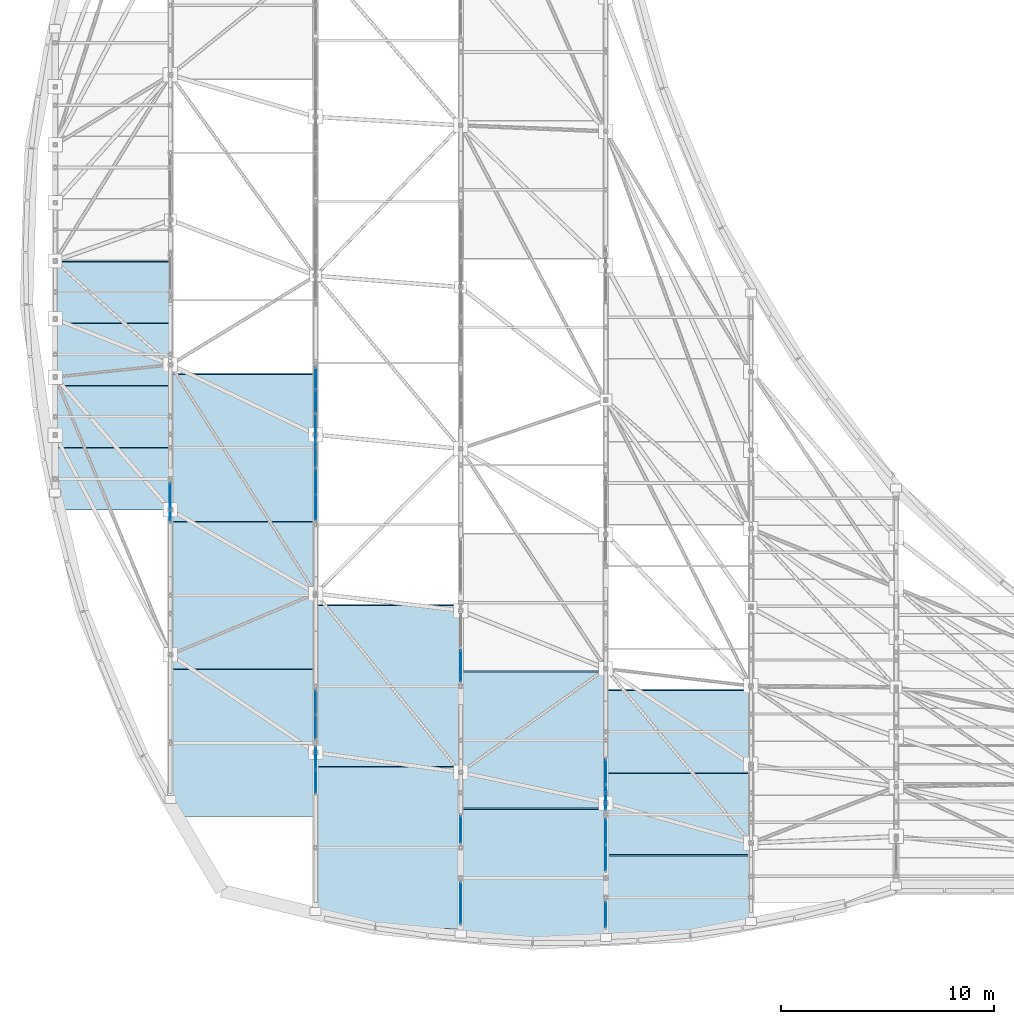
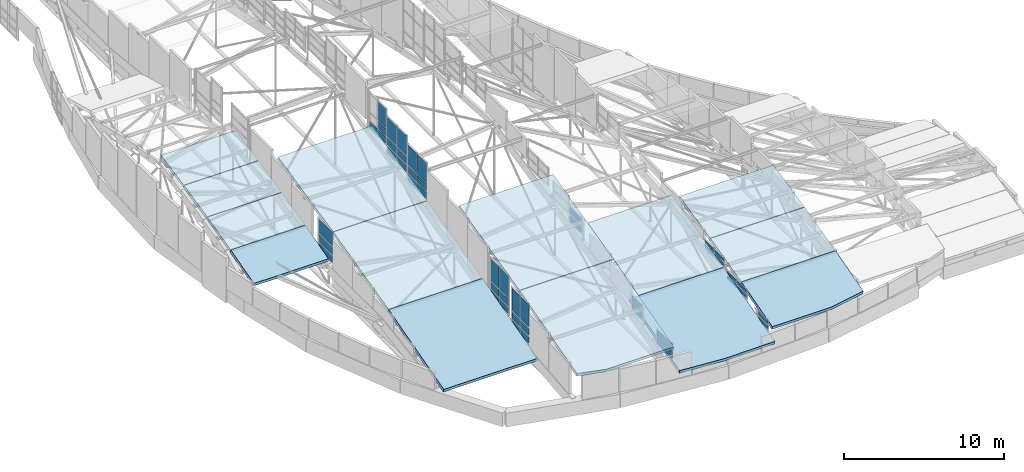
# One storey, part 155 of 188: 47 plates, 14 slabs, 12 elements without a shape of their own.
"""IFC4 building model written with IfcOpenShell, lengths in metres."""

from ifc_helpers import new_model, si_unit, direction, frame, origin, origin_2d, place, context, subcontext, project, spatial, polyline, rectangle, outline, extrude, material, layer, layer_set, type_object, element, aggregate, save


model = new_model("IFC4")

# Units and contexts
model_context = context("Model", 3, precision=1e-05, world=origin(), true_north=direction((0.0, 1.0)))
body_context = subcontext(model_context, "Body", "Model", "MODEL_VIEW")
ifc_project = project(units=[si_unit("LENGTHUNIT", "METRE"), si_unit("AREAUNIT", "SQUARE_METRE"), si_unit("VOLUMEUNIT", "CUBIC_METRE"), si_unit("PLANEANGLEUNIT", "RADIAN"), si_unit("MASSUNIT", "GRAM", prefix="KILO")], contexts=[model_context])

# Site, building, storey
site_placement = place(None, origin())
site = spatial("IfcSite", under=ifc_project, at=site_placement, CompositionType="ELEMENT")
building_placement = place(site_placement, origin())
building = spatial("IfcBuilding", under=site, at=building_placement, Name="Kisaragi Civic Commons", CompositionType="ELEMENT")
storey_placement = place(building_placement, frame((0.0, 0.0, 9.60009765625)))
storey = spatial("IfcBuildingStorey", under=building, at=storey_placement, Name="L02", CompositionType="ELEMENT", Elevation=9.60009765625)

# Curtain wall, plates
ifc_material_1 = material(Name="Thermally broken anodized aluminium and low-E double glazing", Category="aluminium")
ifc_layer_1 = layer(ifc_material_1, 0.14990234375, Name="Thermally broken anodized aluminium and low-E double glazing", Category="aluminium")
ifc_layer_set_1 = layer_set([ifc_layer_1], Name="Thermally broken anodized aluminium and low-E double glazing")
curtain_wall_type = type_object("IfcCurtainWallType", Name="CW-03", PredefinedType="NOTDEFINED", material=ifc_layer_set_1)
curtain_wall_1_placement = place(storey_placement, origin())
curtain_wall_1 = element("IfcCurtainWall", 1, at=curtain_wall_1_placement, inside=storey, type_object=curtain_wall_type, Name="L02 curtain wall CW-03 CW-CL-V1-138", PredefinedType="NOTDEFINED")
ifc_layer_2 = layer(ifc_material_1, 0.0380859375, Name="Thermally broken anodized aluminium and low-E double glazing", Category="aluminium")
ifc_layer_set_2 = layer_set([ifc_layer_2], Name="Thermally broken anodized aluminium and low-E double glazing")
plate_type_1 = type_object("IfcPlateType", Name="CWP-03", PredefinedType="CURTAIN_PANEL", material=ifc_layer_set_2)
plate_1_placement = place(storey_placement, frame((13.60009765625, 11.491943359375, 1.20849609375), z_axis=(0.0, 0.0, 1.0), x_axis=(0.0, 1.0, 0.0)))
plate_1 = element("IfcPlate", 2, at=plate_1_placement, type_object=plate_type_1, Name="CW-03 panel 1.1", PredefinedType="CURTAIN_PANEL", context=body_context, shape_type="SweptSolid", body=[
    extrude(rectangle(XDim=1.079833984375, YDim=0.0380859375, at=origin_2d()), origin(), (0.0, 0.0, 1.0), 0.469970703125),
])
plate_2_placement = place(storey_placement, frame((13.60009765625, 11.491943359375, 1.798828125), z_axis=(0.0, 0.0, 1.0), x_axis=(0.0, 1.0, 0.0)))
plate_2 = element("IfcPlate", 3, at=plate_2_placement, type_object=plate_type_1, Name="CW-03 panel 1.2", PredefinedType="CURTAIN_PANEL", context=body_context, shape_type="SweptSolid", body=[
    extrude(rectangle(XDim=1.079833984375, YDim=0.0380859375, at=origin_2d()), origin(), (0.0, 0.0, 1.0), 0.530029296875),
])
plate_3_placement = place(storey_placement, frame((13.60009765625, 11.491943359375, 2.44873046875), z_axis=(0.0, 0.0, 1.0), x_axis=(0.0, 1.0, 0.0)))
plate_3 = element("IfcPlate", 4, at=plate_3_placement, type_object=plate_type_1, Name="CW-03 panel 1.3", PredefinedType="CURTAIN_PANEL", context=body_context, shape_type="SweptSolid", body=[
    extrude(rectangle(XDim=1.079833984375, YDim=0.0380859375, at=origin_2d()), origin(), (0.0, 0.0, 1.0), 1.6259765625),
])
plate_4_placement = place(storey_placement, frame((13.60009765625, 12.6318359375, 1.20849609375), z_axis=(0.0, 0.0, 1.0), x_axis=(0.0, 1.0, 0.0)))
plate_4 = element("IfcPlate", 5, at=plate_4_placement, type_object=plate_type_1, Name="CW-03 panel 2.1", PredefinedType="CURTAIN_PANEL", context=body_context, shape_type="SweptSolid", body=[
    extrude(rectangle(XDim=1.079833984375, YDim=0.0380859375, at=origin_2d()), origin(), (0.0, 0.0, 1.0), 0.469970703125),
])
plate_5_placement = place(storey_placement, frame((13.60009765625, 12.6318359375, 1.798828125), z_axis=(0.0, 0.0, 1.0), x_axis=(0.0, 1.0, 0.0)))
plate_5 = element("IfcPlate", 6, at=plate_5_placement, type_object=plate_type_1, Name="CW-03 panel 2.2", PredefinedType="CURTAIN_PANEL", context=body_context, shape_type="SweptSolid", body=[
    extrude(rectangle(XDim=1.079833984375, YDim=0.0380859375, at=origin_2d()), origin(), (0.0, 0.0, 1.0), 0.530029296875),
])
plate_6_placement = place(storey_placement, frame((13.60009765625, 12.6318359375, 2.44873046875), z_axis=(0.0, 0.0, 1.0), x_axis=(0.0, 1.0, 0.0)))
plate_6 = element("IfcPlate", 7, at=plate_6_placement, type_object=plate_type_1, Name="CW-03 panel 2.3", PredefinedType="CURTAIN_PANEL", context=body_context, shape_type="SweptSolid", body=[
    extrude(rectangle(XDim=1.079833984375, YDim=0.0380859375, at=origin_2d()), origin(), (0.0, 0.0, 1.0), 1.6259765625),
])
aggregate(curtain_wall_1, [plate_1, plate_2, plate_3, plate_4, plate_5, plate_6])

curtain_wall_2_placement = place(storey_placement, origin())
curtain_wall_2 = element("IfcCurtainWall", 8, at=curtain_wall_2_placement, inside=storey, type_object=curtain_wall_type, Name="L02 curtain wall CW-03 CW-CL-V1-140", PredefinedType="NOTDEFINED")
plate_7_placement = place(storey_placement, frame((13.60009765625, 24.259765625, 4.33349609375), z_axis=(0.0, 0.0, 1.0), x_axis=(0.0, 1.0, 0.0)))
plate_7 = element("IfcPlate", 9, at=plate_7_placement, type_object=plate_type_1, Name="CW-03 panel 1.1", PredefinedType="CURTAIN_PANEL", context=body_context, shape_type="SweptSolid", body=[
    extrude(rectangle(XDim=1.170166015625, YDim=0.0380859375, at=origin_2d()), origin(), (0.0, 0.0, 1.0), 0.469970703125),
])
plate_8_placement = place(storey_placement, frame((13.60009765625, 24.259765625, 4.92333984375), z_axis=(0.0, 0.0, 1.0), x_axis=(0.0, 1.0, 0.0)))
plate_8 = element("IfcPlate", 10, at=plate_8_placement, type_object=plate_type_1, Name="CW-03 panel 1.2", PredefinedType="CURTAIN_PANEL", context=body_context, shape_type="SweptSolid", body=[
    extrude(rectangle(XDim=1.170166015625, YDim=0.0380859375, at=origin_2d()), origin(), (0.0, 0.0, 1.0), 0.530029296875),
])
plate_9_placement = place(storey_placement, frame((13.60009765625, 24.259765625, 5.57373046875), z_axis=(0.0, 0.0, 1.0), x_axis=(0.0, 1.0, 0.0)))
plate_9 = element("IfcPlate", 11, at=plate_9_placement, type_object=plate_type_1, Name="CW-03 panel 1.3", PredefinedType="CURTAIN_PANEL", context=body_context, shape_type="SweptSolid", body=[
    extrude(rectangle(XDim=1.170166015625, YDim=0.0380859375, at=origin_2d()), origin(), (0.0, 0.0, 1.0), 1.456787109375),
])
plate_10_placement = place(storey_placement, frame((13.60009765625, 25.489990234375, 4.33349609375), z_axis=(0.0, 0.0, 1.0), x_axis=(0.0, 1.0, 0.0)))
plate_10 = element("IfcPlate", 12, at=plate_10_placement, type_object=plate_type_1, Name="CW-03 panel 2.1", PredefinedType="CURTAIN_PANEL", context=body_context, shape_type="SweptSolid", body=[
    extrude(rectangle(XDim=1.170166015625, YDim=0.0380859375, at=origin_2d()), origin(), (0.0, 0.0, 1.0), 0.469970703125),
])
plate_11_placement = place(storey_placement, frame((13.60009765625, 25.489990234375, 4.92333984375), z_axis=(0.0, 0.0, 1.0), x_axis=(0.0, 1.0, 0.0)))
plate_11 = element("IfcPlate", 13, at=plate_11_placement, type_object=plate_type_1, Name="CW-03 panel 2.2", PredefinedType="CURTAIN_PANEL", context=body_context, shape_type="SweptSolid", body=[
    extrude(rectangle(XDim=1.170166015625, YDim=0.0380859375, at=origin_2d()), origin(), (0.0, 0.0, 1.0), 0.530029296875),
])
plate_12_placement = place(storey_placement, frame((13.60009765625, 25.489990234375, 5.57373046875), z_axis=(0.0, 0.0, 1.0), x_axis=(0.0, 1.0, 0.0)))
plate_12 = element("IfcPlate", 14, at=plate_12_placement, type_object=plate_type_1, Name="CW-03 panel 2.3", PredefinedType="CURTAIN_PANEL", context=body_context, shape_type="SweptSolid", body=[
    extrude(rectangle(XDim=1.170166015625, YDim=0.0380859375, at=origin_2d()), origin(), (0.0, 0.0, 1.0), 1.456787109375),
])
aggregate(curtain_wall_2, [plate_7, plate_8, plate_9, plate_10, plate_11, plate_12])

curtain_wall_3_placement = place(storey_placement, origin())
curtain_wall_3 = element("IfcCurtainWall", 15, at=curtain_wall_3_placement, inside=storey, type_object=curtain_wall_type, Name="L02 curtain wall CW-03 CW-CL-V1-154", PredefinedType="NOTDEFINED")
plate_13_placement = place(storey_placement, frame((20.39990234375, 6.67138671875, 1.40673828125), z_axis=(0.0, 0.0, 1.0), x_axis=(0.0, 1.0, 0.0)))
plate_13 = element("IfcPlate", 16, at=plate_13_placement, type_object=plate_type_1, Name="CW-03 panel 1.1", PredefinedType="CURTAIN_PANEL", context=body_context, shape_type="SweptSolid", body=[
    extrude(rectangle(XDim=1.25390625, YDim=0.0380859375, at=origin_2d()), origin(), (0.0, 0.0, 1.0), 0.466796875),
])
plate_14_placement = place(storey_placement, frame((20.39990234375, 6.67138671875, 1.99365234375), z_axis=(0.0, 0.0, 1.0), x_axis=(0.0, 1.0, 0.0)))
plate_14 = element("IfcPlate", 17, at=plate_14_placement, type_object=plate_type_1, Name="CW-03 panel 1.2", PredefinedType="CURTAIN_PANEL", context=body_context, shape_type="SweptSolid", body=[
    extrude(rectangle(XDim=1.25390625, YDim=0.0380859375, at=origin_2d()), origin(), (0.0, 0.0, 1.0), 0.467041015625),
])
aggregate(curtain_wall_3, [plate_13, plate_14])

curtain_wall_4_placement = place(storey_placement, origin())
curtain_wall_4 = element("IfcCurtainWall", 18, at=curtain_wall_4_placement, inside=storey, type_object=curtain_wall_type, Name="L02 curtain wall CW-03 CW-CL-V1-164", PredefinedType="NOTDEFINED")
plate_15_placement = place(storey_placement, frame((27.199951171875, 2.691650390625, 0.65478515625), z_axis=(0.0, 0.0, 1.0), x_axis=(0.0, 1.0, 0.0)))
plate_15 = element("IfcPlate", 19, at=plate_15_placement, type_object=plate_type_1, Name="CW-03 panel 1.1", PredefinedType="CURTAIN_PANEL", context=body_context, shape_type="SweptSolid", body=[
    extrude(rectangle(XDim=1.17529296875, YDim=0.0380859375, at=origin_2d()), origin(), (0.0, 0.0, 1.0), 0.254638671875),
])
plate_16_placement = place(storey_placement, frame((27.199951171875, 2.691650390625, 1.029296875), z_axis=(0.0, 0.0, 1.0), x_axis=(0.0, 1.0, 0.0)))
plate_16 = element("IfcPlate", 20, at=plate_16_placement, type_object=plate_type_1, Name="CW-03 panel 1.2", PredefinedType="CURTAIN_PANEL", context=body_context, shape_type="SweptSolid", body=[
    extrude(rectangle(XDim=1.17529296875, YDim=0.0380859375, at=origin_2d()), origin(), (0.0, 0.0, 1.0), 0.254638671875),
])
aggregate(curtain_wall_4, [plate_15, plate_16])

curtain_wall_5_placement = place(storey_placement, origin())
curtain_wall_5 = element("IfcCurtainWall", 21, at=curtain_wall_5_placement, inside=storey, type_object=curtain_wall_type, Name="L02 curtain wall CW-03 CW-CL-V1-166", PredefinedType="NOTDEFINED")
plate_17_placement = place(storey_placement, frame((27.199951171875, 8.174072265625, 2.102783203125), z_axis=(0.0, 0.0, 1.0), x_axis=(0.0, 1.0, 0.0)))
plate_17 = element("IfcPlate", 22, at=plate_17_placement, type_object=plate_type_1, Name="CW-03 panel 1.1", PredefinedType="CURTAIN_PANEL", context=body_context, shape_type="SweptSolid", body=[
    extrude(rectangle(XDim=1.146240234375, YDim=0.0380859375, at=origin_2d()), origin(), (0.0, 0.0, 1.0), 0.22412109375),
])
plate_18_placement = place(storey_placement, frame((27.199951171875, 8.174072265625, 2.44677734375), z_axis=(0.0, 0.0, 1.0), x_axis=(0.0, 1.0, 0.0)))
plate_18 = element("IfcPlate", 23, at=plate_18_placement, type_object=plate_type_1, Name="CW-03 panel 1.2", PredefinedType="CURTAIN_PANEL", context=body_context, shape_type="SweptSolid", body=[
    extrude(rectangle(XDim=1.146240234375, YDim=0.0380859375, at=origin_2d()), origin(), (0.0, 0.0, 1.0), 0.22412109375),
])
plate_19_placement = place(storey_placement, frame((27.199951171875, 9.38037109375, 2.102783203125), z_axis=(0.0, 0.0, 1.0), x_axis=(0.0, 1.0, 0.0)))
plate_19 = element("IfcPlate", 24, at=plate_19_placement, type_object=plate_type_1, Name="CW-03 panel 2.1", PredefinedType="CURTAIN_PANEL", context=body_context, shape_type="SweptSolid", body=[
    extrude(rectangle(XDim=1.146240234375, YDim=0.0380859375, at=origin_2d()), origin(), (0.0, 0.0, 1.0), 0.22412109375),
])
plate_20_placement = place(storey_placement, frame((27.199951171875, 9.38037109375, 2.44677734375), z_axis=(0.0, 0.0, 1.0), x_axis=(0.0, 1.0, 0.0)))
plate_20 = element("IfcPlate", 25, at=plate_20_placement, type_object=plate_type_1, Name="CW-03 panel 2.2", PredefinedType="CURTAIN_PANEL", context=body_context, shape_type="SweptSolid", body=[
    extrude(rectangle(XDim=1.146240234375, YDim=0.0380859375, at=origin_2d()), origin(), (0.0, 0.0, 1.0), 0.22412109375),
])
aggregate(curtain_wall_5, [plate_17, plate_18, plate_19, plate_20])

curtain_wall_6_placement = place(storey_placement, origin())
curtain_wall_6 = element("IfcCurtainWall", 26, at=curtain_wall_6_placement, inside=storey, type_object=curtain_wall_type, Name="L02 curtain wall CW-03 CW-CL-V1-133", PredefinedType="NOTDEFINED")
ifc_layer_3 = layer(ifc_material_1, 0.041015625, Name="Thermally broken anodized aluminium and low-E double glazing", Category="aluminium")
ifc_layer_set_3 = layer_set([ifc_layer_3], Name="Thermally broken anodized aluminium and low-E double glazing")
plate_type_2 = type_object("IfcPlateType", Name="CWP-11", PredefinedType="CURTAIN_PANEL", material=ifc_layer_set_3)
plate_21_placement = place(storey_placement, frame((6.800048828125, 22.009033203125, 1.3095703125), z_axis=(0.0, 0.0, 1.0), x_axis=(0.0, 1.0, 0.0)))
plate_21 = element("IfcPlate", 27, at=plate_21_placement, type_object=plate_type_2, Name="CW-03 panel 1.1", PredefinedType="CURTAIN_PANEL", context=body_context, shape_type="SweptSolid", body=[
    extrude(rectangle(XDim=1.73779296875, YDim=0.041015625, at=origin_2d()), origin(), (0.0, 0.0, 1.0), 0.469970703125),
])
plate_22_placement = place(storey_placement, frame((6.800048828125, 22.009033203125, 1.8994140625), z_axis=(0.0, 0.0, 1.0), x_axis=(0.0, 1.0, 0.0)))
plate_22 = element("IfcPlate", 28, at=plate_22_placement, type_object=plate_type_2, Name="CW-03 panel 1.2", PredefinedType="CURTAIN_PANEL", context=body_context, shape_type="SweptSolid", body=[
    extrude(rectangle(XDim=1.73779296875, YDim=0.041015625, at=origin_2d()), origin(), (0.0, 0.0, 1.0), 0.530029296875),
])
plate_23_placement = place(storey_placement, frame((6.800048828125, 22.009033203125, 2.549560546875), z_axis=(0.0, 0.0, 1.0), x_axis=(0.0, 1.0, 0.0)))
plate_23 = element("IfcPlate", 29, at=plate_23_placement, type_object=plate_type_2, Name="CW-03 panel 1.3", PredefinedType="CURTAIN_PANEL", context=body_context, shape_type="SweptSolid", body=[
    extrude(rectangle(XDim=1.73779296875, YDim=0.041015625, at=origin_2d()), origin(), (0.0, 0.0, 1.0), 1.0419921875),
])
aggregate(curtain_wall_6, [plate_21, plate_22, plate_23])

curtain_wall_7_placement = place(storey_placement, origin())
curtain_wall_7 = element("IfcCurtainWall", 30, at=curtain_wall_7_placement, inside=storey, type_object=curtain_wall_type, Name="L02 curtain wall CW-03 CW-CL-V1-137", PredefinedType="NOTDEFINED")
plate_24_placement = place(storey_placement, frame((13.60009765625, 8.9189453125, 0.5029296875), z_axis=(0.0, 0.0, 1.0), x_axis=(0.0, 1.0, 0.0)))
plate_24 = element("IfcPlate", 31, at=plate_24_placement, type_object=plate_type_2, Name="CW-03 panel 1.1", PredefinedType="CURTAIN_PANEL", context=body_context, shape_type="SweptSolid", body=[
    extrude(rectangle(XDim=1.0224609375, YDim=0.041015625, at=origin_2d()), origin(), (0.0, 0.0, 1.0), 0.469970703125),
])
plate_25_placement = place(storey_placement, frame((13.60009765625, 8.9189453125, 1.0927734375), z_axis=(0.0, 0.0, 1.0), x_axis=(0.0, 1.0, 0.0)))
plate_25 = element("IfcPlate", 32, at=plate_25_placement, type_object=plate_type_2, Name="CW-03 panel 1.2", PredefinedType="CURTAIN_PANEL", context=body_context, shape_type="SweptSolid", body=[
    extrude(rectangle(XDim=1.0224609375, YDim=0.041015625, at=origin_2d()), origin(), (0.0, 0.0, 1.0), 0.530029296875),
])
plate_26_placement = place(storey_placement, frame((13.60009765625, 8.9189453125, 1.742919921875), z_axis=(0.0, 0.0, 1.0), x_axis=(0.0, 1.0, 0.0)))
plate_26 = element("IfcPlate", 33, at=plate_26_placement, type_object=plate_type_2, Name="CW-03 panel 1.3", PredefinedType="CURTAIN_PANEL", context=body_context, shape_type="SweptSolid", body=[
    extrude(rectangle(XDim=1.0224609375, YDim=0.041015625, at=origin_2d()), origin(), (0.0, 0.0, 1.0), 1.697265625),
])
plate_27_placement = place(storey_placement, frame((13.60009765625, 10.00146484375, 0.5029296875), z_axis=(0.0, 0.0, 1.0), x_axis=(0.0, 1.0, 0.0)))
plate_27 = element("IfcPlate", 34, at=plate_27_placement, type_object=plate_type_2, Name="CW-03 panel 2.1", PredefinedType="CURTAIN_PANEL", context=body_context, shape_type="SweptSolid", body=[
    extrude(rectangle(XDim=1.0224609375, YDim=0.041015625, at=origin_2d()), origin(), (0.0, 0.0, 1.0), 0.469970703125),
])
plate_28_placement = place(storey_placement, frame((13.60009765625, 10.00146484375, 1.0927734375), z_axis=(0.0, 0.0, 1.0), x_axis=(0.0, 1.0, 0.0)))
plate_28 = element("IfcPlate", 35, at=plate_28_placement, type_object=plate_type_2, Name="CW-03 panel 2.2", PredefinedType="CURTAIN_PANEL", context=body_context, shape_type="SweptSolid", body=[
    extrude(rectangle(XDim=1.0224609375, YDim=0.041015625, at=origin_2d()), origin(), (0.0, 0.0, 1.0), 0.530029296875),
])
plate_29_placement = place(storey_placement, frame((13.60009765625, 10.00146484375, 1.742919921875), z_axis=(0.0, 0.0, 1.0), x_axis=(0.0, 1.0, 0.0)))
plate_29 = element("IfcPlate", 36, at=plate_29_placement, type_object=plate_type_2, Name="CW-03 panel 2.3", PredefinedType="CURTAIN_PANEL", context=body_context, shape_type="SweptSolid", body=[
    extrude(rectangle(XDim=1.0224609375, YDim=0.041015625, at=origin_2d()), origin(), (0.0, 0.0, 1.0), 1.697265625),
])
aggregate(curtain_wall_7, [plate_24, plate_25, plate_26, plate_27, plate_28, plate_29])

curtain_wall_8_placement = place(storey_placement, origin())
curtain_wall_8 = element("IfcCurtainWall", 37, at=curtain_wall_8_placement, inside=storey, type_object=curtain_wall_type, Name="L02 curtain wall CW-03 CW-CL-V1-139", PredefinedType="NOTDEFINED")
plate_30_placement = place(storey_placement, frame((13.60009765625, 21.751953125, 3.76953125), z_axis=(0.0, 0.0, 1.0), x_axis=(0.0, 1.0, 0.0)))
plate_30 = element("IfcPlate", 38, at=plate_30_placement, type_object=plate_type_2, Name="CW-03 panel 1.1", PredefinedType="CURTAIN_PANEL", context=body_context, shape_type="SweptSolid", body=[
    extrude(rectangle(XDim=1.145751953125, YDim=0.041015625, at=origin_2d()), origin(), (0.0, 0.0, 1.0), 0.469970703125),
])
plate_31_placement = place(storey_placement, frame((13.60009765625, 21.751953125, 4.359375), z_axis=(0.0, 0.0, 1.0), x_axis=(0.0, 1.0, 0.0)))
plate_31 = element("IfcPlate", 39, at=plate_31_placement, type_object=plate_type_2, Name="CW-03 panel 1.2", PredefinedType="CURTAIN_PANEL", context=body_context, shape_type="SweptSolid", body=[
    extrude(rectangle(XDim=1.145751953125, YDim=0.041015625, at=origin_2d()), origin(), (0.0, 0.0, 1.0), 0.530029296875),
])
plate_32_placement = place(storey_placement, frame((13.60009765625, 21.751953125, 5.009521484375), z_axis=(0.0, 0.0, 1.0), x_axis=(0.0, 1.0, 0.0)))
plate_32 = element("IfcPlate", 40, at=plate_32_placement, type_object=plate_type_2, Name="CW-03 panel 1.3", PredefinedType="CURTAIN_PANEL", context=body_context, shape_type="SweptSolid", body=[
    extrude(rectangle(XDim=1.145751953125, YDim=0.041015625, at=origin_2d()), origin(), (0.0, 0.0, 1.0), 1.46044921875),
])
plate_33_placement = place(storey_placement, frame((13.60009765625, 22.957763671875, 3.76953125), z_axis=(0.0, 0.0, 1.0), x_axis=(0.0, 1.0, 0.0)))
plate_33 = element("IfcPlate", 41, at=plate_33_placement, type_object=plate_type_2, Name="CW-03 panel 2.1", PredefinedType="CURTAIN_PANEL", context=body_context, shape_type="SweptSolid", body=[
    extrude(rectangle(XDim=1.145751953125, YDim=0.041015625, at=origin_2d()), origin(), (0.0, 0.0, 1.0), 0.469970703125),
])
plate_34_placement = place(storey_placement, frame((13.60009765625, 22.957763671875, 4.359375), z_axis=(0.0, 0.0, 1.0), x_axis=(0.0, 1.0, 0.0)))
plate_34 = element("IfcPlate", 42, at=plate_34_placement, type_object=plate_type_2, Name="CW-03 panel 2.2", PredefinedType="CURTAIN_PANEL", context=body_context, shape_type="SweptSolid", body=[
    extrude(rectangle(XDim=1.145751953125, YDim=0.041015625, at=origin_2d()), origin(), (0.0, 0.0, 1.0), 0.530029296875),
])
plate_35_placement = place(storey_placement, frame((13.60009765625, 22.957763671875, 5.009521484375), z_axis=(0.0, 0.0, 1.0), x_axis=(0.0, 1.0, 0.0)))
plate_35 = element("IfcPlate", 43, at=plate_35_placement, type_object=plate_type_2, Name="CW-03 panel 2.3", PredefinedType="CURTAIN_PANEL", context=body_context, shape_type="SweptSolid", body=[
    extrude(rectangle(XDim=1.145751953125, YDim=0.041015625, at=origin_2d()), origin(), (0.0, 0.0, 1.0), 1.46044921875),
])
aggregate(curtain_wall_8, [plate_30, plate_31, plate_32, plate_33, plate_34, plate_35])

curtain_wall_9_placement = place(storey_placement, origin())
curtain_wall_9 = element("IfcCurtainWall", 44, at=curtain_wall_9_placement, inside=storey, type_object=curtain_wall_type, Name="L02 curtain wall CW-03 CW-CL-V1-141", PredefinedType="NOTDEFINED")
plate_36_placement = place(storey_placement, frame((13.60009765625, 26.72607421875, 4.8974609375), z_axis=(0.0, 0.0, 1.0), x_axis=(0.0, 1.0, 0.0)))
plate_36 = element("IfcPlate", 45, at=plate_36_placement, type_object=plate_type_2, Name="CW-03 panel 1.1", PredefinedType="CURTAIN_PANEL", context=body_context, shape_type="SweptSolid", body=[
    extrude(rectangle(XDim=1.013671875, YDim=0.041015625, at=origin_2d()), origin(), (0.0, 0.0, 1.0), 0.469970703125),
])
plate_37_placement = place(storey_placement, frame((13.60009765625, 26.72607421875, 5.48779296875), z_axis=(0.0, 0.0, 1.0), x_axis=(0.0, 1.0, 0.0)))
plate_37 = element("IfcPlate", 46, at=plate_37_placement, type_object=plate_type_2, Name="CW-03 panel 1.2", PredefinedType="CURTAIN_PANEL", context=body_context, shape_type="SweptSolid", body=[
    extrude(rectangle(XDim=1.013671875, YDim=0.041015625, at=origin_2d()), origin(), (0.0, 0.0, 1.0), 0.530029296875),
])
plate_38_placement = place(storey_placement, frame((13.60009765625, 26.72607421875, 6.1376953125), z_axis=(0.0, 0.0, 1.0), x_axis=(0.0, 1.0, 0.0)))
plate_38 = element("IfcPlate", 47, at=plate_38_placement, type_object=plate_type_2, Name="CW-03 panel 1.3", PredefinedType="CURTAIN_PANEL", context=body_context, shape_type="SweptSolid", body=[
    extrude(rectangle(XDim=1.013671875, YDim=0.041015625, at=origin_2d()), origin(), (0.0, 0.0, 1.0), 1.387451171875),
])
plate_39_placement = place(storey_placement, frame((13.60009765625, 27.7998046875, 4.8974609375), z_axis=(0.0, 0.0, 1.0), x_axis=(0.0, 1.0, 0.0)))
plate_39 = element("IfcPlate", 48, at=plate_39_placement, type_object=plate_type_2, Name="CW-03 panel 2.1", PredefinedType="CURTAIN_PANEL", context=body_context, shape_type="SweptSolid", body=[
    extrude(rectangle(XDim=1.013671875, YDim=0.041015625, at=origin_2d()), origin(), (0.0, 0.0, 1.0), 0.469970703125),
])
aggregate(curtain_wall_9, [plate_36, plate_37, plate_38, plate_39])

curtain_wall_10_placement = place(storey_placement, origin())
curtain_wall_10 = element("IfcCurtainWall", 49, at=curtain_wall_10_placement, inside=storey, type_object=curtain_wall_type, Name="L02 curtain wall CW-03 CW-CL-V1-153", PredefinedType="NOTDEFINED")
plate_40_placement = place(storey_placement, frame((20.39990234375, 3.221435546875, 0.688232421875), z_axis=(0.0, 0.0, 1.0), x_axis=(0.0, 1.0, 0.0)))
plate_40 = element("IfcPlate", 50, at=plate_40_placement, type_object=plate_type_2, Name="CW-03 panel 1.1", PredefinedType="CURTAIN_PANEL", context=body_context, shape_type="SweptSolid", body=[
    extrude(rectangle(XDim=1.919921875, YDim=0.041015625, at=origin_2d()), origin(), (0.0, 0.0, 1.0), 0.466796875),
])
plate_41_placement = place(storey_placement, frame((20.39990234375, 3.221435546875, 1.27490234375), z_axis=(0.0, 0.0, 1.0), x_axis=(0.0, 1.0, 0.0)))
plate_41 = element("IfcPlate", 51, at=plate_41_placement, type_object=plate_type_2, Name="CW-03 panel 1.2", PredefinedType="CURTAIN_PANEL", context=body_context, shape_type="SweptSolid", body=[
    extrude(rectangle(XDim=1.919921875, YDim=0.041015625, at=origin_2d()), origin(), (0.0, 0.0, 1.0), 0.467041015625),
])
aggregate(curtain_wall_10, [plate_40, plate_41])

curtain_wall_11_placement = place(storey_placement, origin())
curtain_wall_11 = element("IfcCurtainWall", 52, at=curtain_wall_11_placement, inside=storey, type_object=curtain_wall_type, Name="L02 curtain wall CW-03 CW-CL-V1-155", PredefinedType="NOTDEFINED")
plate_42_placement = place(storey_placement, frame((20.39990234375, 14.3408203125, 3.3876953125), z_axis=(0.0, 0.0, 1.0), x_axis=(0.0, 1.0, 0.0)))
plate_42 = element("IfcPlate", 53, at=plate_42_placement, type_object=plate_type_2, Name="CW-03 panel 1.1", PredefinedType="CURTAIN_PANEL", context=body_context, shape_type="SweptSolid", body=[
    extrude(rectangle(XDim=1.4580078125, YDim=0.041015625, at=origin_2d()), origin(), (0.0, 0.0, 1.0), 0.49462890625),
])
plate_43_placement = place(storey_placement, frame((20.39990234375, 14.3408203125, 4.00244140625), z_axis=(0.0, 0.0, 1.0), x_axis=(0.0, 1.0, 0.0)))
plate_43 = element("IfcPlate", 54, at=plate_43_placement, type_object=plate_type_2, Name="CW-03 panel 1.2", PredefinedType="CURTAIN_PANEL", context=body_context, shape_type="SweptSolid", body=[
    extrude(rectangle(XDim=1.4580078125, YDim=0.041015625, at=origin_2d()), origin(), (0.0, 0.0, 1.0), 0.49462890625),
])
aggregate(curtain_wall_11, [plate_42, plate_43])

curtain_wall_12_placement = place(storey_placement, origin())
curtain_wall_12 = element("IfcCurtainWall", 55, at=curtain_wall_12_placement, inside=storey, type_object=curtain_wall_type, Name="L02 curtain wall CW-03 CW-CL-V1-165", PredefinedType="NOTDEFINED")
plate_44_placement = place(storey_placement, frame((27.199951171875, 5.3515625, 1.39404296875), z_axis=(0.0, 0.0, 1.0), x_axis=(0.0, 1.0, 0.0)))
plate_44 = element("IfcPlate", 56, at=plate_44_placement, type_object=plate_type_2, Name="CW-03 panel 1.1", PredefinedType="CURTAIN_PANEL", context=body_context, shape_type="SweptSolid", body=[
    extrude(rectangle(XDim=1.166259765625, YDim=0.041015625, at=origin_2d()), origin(), (0.0, 0.0, 1.0), 0.246337890625),
])
plate_45_placement = place(storey_placement, frame((27.199951171875, 5.3515625, 1.76025390625), z_axis=(0.0, 0.0, 1.0), x_axis=(0.0, 1.0, 0.0)))
plate_45 = element("IfcPlate", 57, at=plate_45_placement, type_object=plate_type_2, Name="CW-03 panel 1.2", PredefinedType="CURTAIN_PANEL", context=body_context, shape_type="SweptSolid", body=[
    extrude(rectangle(XDim=1.166259765625, YDim=0.041015625, at=origin_2d()), origin(), (0.0, 0.0, 1.0), 0.246337890625),
])
plate_46_placement = place(storey_placement, frame((27.199951171875, 6.577880859375, 1.39404296875), z_axis=(0.0, 0.0, 1.0), x_axis=(0.0, 1.0, 0.0)))
plate_46 = element("IfcPlate", 58, at=plate_46_placement, type_object=plate_type_2, Name="CW-03 panel 2.1", PredefinedType="CURTAIN_PANEL", context=body_context, shape_type="SweptSolid", body=[
    extrude(rectangle(XDim=1.166259765625, YDim=0.041015625, at=origin_2d()), origin(), (0.0, 0.0, 1.0), 0.246337890625),
])
plate_47_placement = place(storey_placement, frame((27.199951171875, 6.577880859375, 1.76025390625), z_axis=(0.0, 0.0, 1.0), x_axis=(0.0, 1.0, 0.0)))
plate_47 = element("IfcPlate", 59, at=plate_47_placement, type_object=plate_type_2, Name="CW-03 panel 2.2", PredefinedType="CURTAIN_PANEL", context=body_context, shape_type="SweptSolid", body=[
    extrude(rectangle(XDim=1.166259765625, YDim=0.041015625, at=origin_2d()), origin(), (0.0, 0.0, 1.0), 0.246337890625),
])
aggregate(curtain_wall_12, [plate_44, plate_45, plate_46, plate_47])

# Slabs
ifc_material_2 = material(Name="Concrete Fc30", Category="concrete")
ifc_layer_4 = layer(ifc_material_2, 0.2548828125, Name="Concrete Fc30", Category="concrete")
ifc_layer_set_4 = layer_set([ifc_layer_4], Name="Concrete Fc30")
slab_type = type_object("IfcSlabType", Name="SL-WV1", PredefinedType="ROOF", material=ifc_layer_set_4)
slab_1_placement = place(storey_placement, frame((6.794921875, 24.547607421875, 2.0966796875), z_axis=(0.0, -0.267204673728, 0.963639799063), x_axis=(-1.0, 0.0, 0.0)))
element("IfcSlab", 60, at=slab_1_placement, inside=storey, type_object=slab_type, Name="V1 continuous wave vault facet 1.1", PredefinedType="ROOF", context=body_context, shape_type="SweptSolid", body=[
    extrude(outline(polyline([(0.0, 0.0), (5.389892578125, 0.0), (5.389892578125, 3.010588655321716), (0.0, 3.010588655321716), (0.0, 0.0)])), origin(), (0.0, 0.0, -1.0), 0.2548828125),
])
slab_2_placement = place(storey_placement, frame((6.794921875, 27.466796875, 2.824951171875), z_axis=(0.0, -0.241939586089, 0.97029131537), x_axis=(-1.0, 0.0, 0.0)))
element("IfcSlab", 61, at=slab_2_placement, inside=storey, type_object=slab_type, Name="V1 continuous wave vault facet 1.2", PredefinedType="ROOF", context=body_context, shape_type="SweptSolid", body=[
    extrude(outline(polyline([(0.0, 0.0), (5.389892578125, 0.0), (5.389892578125, 2.987937618269577), (0.0, 2.987937618269577), (0.0, 0.0)])), origin(), (0.0, 0.0, -1.0), 0.2548828125),
])
slab_3_placement = place(storey_placement, frame((6.794921875, 30.38623046875, 3.472412109375), z_axis=(0.0, -0.21645169538, 0.97629332865), x_axis=(-1.0, 0.0, 0.0)))
element("IfcSlab", 62, at=slab_3_placement, inside=storey, type_object=slab_type, Name="V1 continuous wave vault facet 1.3", PredefinedType="ROOF", context=body_context, shape_type="SweptSolid", body=[
    extrude(outline(polyline([(0.0, 0.0), (5.389892578125, 0.0), (5.389892578125, 2.9698185754362187), (0.0, 2.9698185754362187), (0.0, 0.0)])), origin(), (0.0, 0.0, -1.0), 0.2548828125),
])
slab_4_placement = place(storey_placement, frame((6.794921875, 33.263427734375, 4.03173828125), z_axis=(0.0, -0.190741686873, 0.981640264501), x_axis=(-1.0, 0.0, 0.0)))
element("IfcSlab", 63, at=slab_4_placement, inside=storey, type_object=slab_type, Name="V1 continuous wave vault facet 1.4", PredefinedType="ROOF", context=body_context, shape_type="SweptSolid", body=[
    extrude(outline(polyline([(0.0, 0.0), (5.389892578125, 0.0), (5.389892578125, 2.910615871923811), (0.0, 2.910615871923811), (0.0, 0.0)])), origin(), (0.0, 0.0, -1.0), 0.2548828125),
])
slab_5_placement = place(storey_placement, frame((13.594970703125, 14.17919921875, 1.94580078125), z_axis=(0.0, -0.267232046499, 0.963632208534), x_axis=(-1.0, 0.0, 0.0)))
element("IfcSlab", 64, at=slab_5_placement, inside=storey, type_object=slab_type, Name="V1 continuous wave vault facet 2.1", PredefinedType="ROOF", context=body_context, shape_type="SweptSolid", body=[
    extrude(outline(polyline([(0.0, 0.0), (6.7900390625, 0.0), (6.7900390625, 7.155239800194112), (0.0, 7.155239800194112), (0.0, 0.0)])), origin(), (0.0, 0.0, -1.0), 0.2548828125),
])
slab_6_placement = place(storey_placement, frame((13.594970703125, 21.092041015625, 3.669677734375), z_axis=(0.0, -0.241945272488, 0.970289897464), x_axis=(-1.0, 0.0, 0.0)))
element("IfcSlab", 65, at=slab_6_placement, inside=storey, type_object=slab_type, Name="V1 continuous wave vault facet 2.2", PredefinedType="ROOF", context=body_context, shape_type="SweptSolid", body=[
    extrude(outline(polyline([(0.0, 0.0), (6.7900390625, 0.0), (6.7900390625, 7.103879246439636), (0.0, 7.103879246439636), (0.0, 0.0)])), origin(), (0.0, 0.0, -1.0), 0.2548828125),
])
slab_7_placement = place(storey_placement, frame((13.594970703125, 28.005126953125, 5.202392578125), z_axis=(0.0, -0.21642883289, 0.976298397158), x_axis=(-1.0, 0.0, 0.0)))
element("IfcSlab", 66, at=slab_7_placement, inside=storey, type_object=slab_type, Name="V1 continuous wave vault facet 2.3", PredefinedType="ROOF", context=body_context, shape_type="SweptSolid", body=[
    extrude(outline(polyline([(0.0, 0.0), (6.7900390625, 0.0), (6.7900390625, 7.060409426373547), (0.0, 7.060409426373547), (0.0, 0.0)])), origin(), (0.0, 0.0, -1.0), 0.2548828125),
])
slab_8_placement = place(storey_placement, frame((20.39501953125, 9.59814453125, 3.79248046875), z_axis=(1.276728e-06, -0.267217624758, 0.963636207818), x_axis=(-0.999999999999, -3.41164e-07, 1.230301e-06)))
element("IfcSlab", 67, at=slab_8_placement, inside=storey, type_object=slab_type, Name="V1 continuous wave vault facet 3.1", PredefinedType="ROOF", context=body_context, shape_type="SweptSolid", body=[
    extrude(outline(polyline([(0.0, 0.0), (6.790039062494466, 0.0), (6.790039062513524, 7.440735381701355), (4.902343749992927, 7.834451559245434), (-3.0770063510975293e-12, 7.834451559245434), (0.0, 0.0)])), origin(), (0.0, 0.0, -1.0), 0.2548828125),
])
slab_9_placement = place(storey_placement, frame((20.39501953125, 17.16552734375, 5.6796875), z_axis=(0.0, -0.241929995817, 0.970293706629), x_axis=(-1.0, 0.0, 0.0)))
element("IfcSlab", 68, at=slab_9_placement, inside=storey, type_object=slab_type, Name="V1 continuous wave vault facet 3.2", PredefinedType="ROOF", context=body_context, shape_type="SweptSolid", body=[
    extrude(outline(polyline([(0.0, 0.0), (6.7900390625, 0.0), (6.7900390625, 7.778431653927885), (0.0, 7.778431653927885), (0.0, 0.0)])), origin(), (0.0, 0.0, -1.0), 0.2548828125),
])
slab_10_placement = place(storey_placement, frame((27.195068359375, 7.616455078125, 2.009033203125), z_axis=(-3.392514e-06, -0.267229250084, 0.963632984018), x_axis=(-0.999999999994, 9.06579e-07, -3.269138e-06)))
element("IfcSlab", 69, at=slab_10_placement, inside=storey, type_object=slab_type, Name="V1 continuous wave vault facet 4.1", PredefinedType="ROOF", context=body_context, shape_type="SweptSolid", body=[
    extrude(outline(polyline([(0.0, 0.0), (6.790039062460926, -7.189233498851502e-22), (6.79003906286735, 6.474250724878375), (3.6025390621591744, 6.675101350390985), (2.437114389149727e-10, 6.63613086502886), (0.0, 0.0)])), origin(), (0.0, 0.0, -1.0), 0.2548828125),
])
slab_11_placement = place(storey_placement, frame((27.195068359375, 14.06689453125, 3.61767578125), z_axis=(0.0, -0.241920152206, 0.970296160951), x_axis=(-1.0, 0.0, 0.0)))
element("IfcSlab", 70, at=slab_11_placement, inside=storey, type_object=slab_type, Name="V1 continuous wave vault facet 4.2", PredefinedType="ROOF", context=body_context, shape_type="SweptSolid", body=[
    extrude(outline(polyline([(0.0, 0.0), (6.7900390625, 0.0), (6.7900390625, 6.627275445026931), (0.0, 6.627275445026931), (0.0, 0.0)])), origin(), (0.0, 0.0, -1.0), 0.2548828125),
])
slab_12_placement = place(storey_placement, frame((33.9951171875, 5.43017578125, 2.2119140625), z_axis=(1.5199648e-05, -0.267194648213, 0.96364257883), x_axis=(-0.999999999884, -4.061265e-06, 1.4647028e-05)))
element("IfcSlab", 71, at=slab_12_placement, inside=storey, type_object=slab_type, Name="V1 continuous wave vault facet 5.1", PredefinedType="ROOF", context=body_context, shape_type="SweptSolid", body=[
    extrude(outline(polyline([(0.0, 0.0), (6.790039061715651, -5.7513867990812014e-21), (6.790039062305182, 4.0095355397531565), (2.551757812794766, 4.0095355397531565), (-2.547864993378602e-09, 3.6113236730337275), (0.0, 0.0)])), origin(), (0.0, 0.0, -1.0), 0.2548828125),
])
slab_13_placement = place(storey_placement, frame((33.9951171875, 9.311767578125, 3.18017578125), z_axis=(0.0, -0.241943783281, 0.970290268802), x_axis=(-1.0, 0.0, 0.0)))
element("IfcSlab", 72, at=slab_13_placement, inside=storey, type_object=slab_type, Name="V1 continuous wave vault facet 5.2", PredefinedType="ROOF", context=body_context, shape_type="SweptSolid", body=[
    extrude(outline(polyline([(0.0, 0.0), (6.7900390625, 0.0), (6.7900390625, 3.9798113923095766), (0.0, 3.9798113923095766), (0.0, 0.0)])), origin(), (0.0, 0.0, -1.0), 0.2548828125),
])
slab_14_placement = place(storey_placement, frame((33.9951171875, 13.193359375, 4.040771484375), z_axis=(0.0, -0.216407580296, 0.976303108256), x_axis=(-1.0, 0.0, 0.0)))
element("IfcSlab", 73, at=slab_14_placement, inside=storey, type_object=slab_type, Name="V1 continuous wave vault facet 5.3", PredefinedType="ROOF", context=body_context, shape_type="SweptSolid", body=[
    extrude(outline(polyline([(0.0, 0.0), (6.7900390625, 0.0), (6.7900390625, 3.9553005956552165), (0.0, 3.9553005956552165), (0.0, 0.0)])), origin(), (0.0, 0.0, -1.0), 0.2548828125),
])

save(model, "model.ifc")
